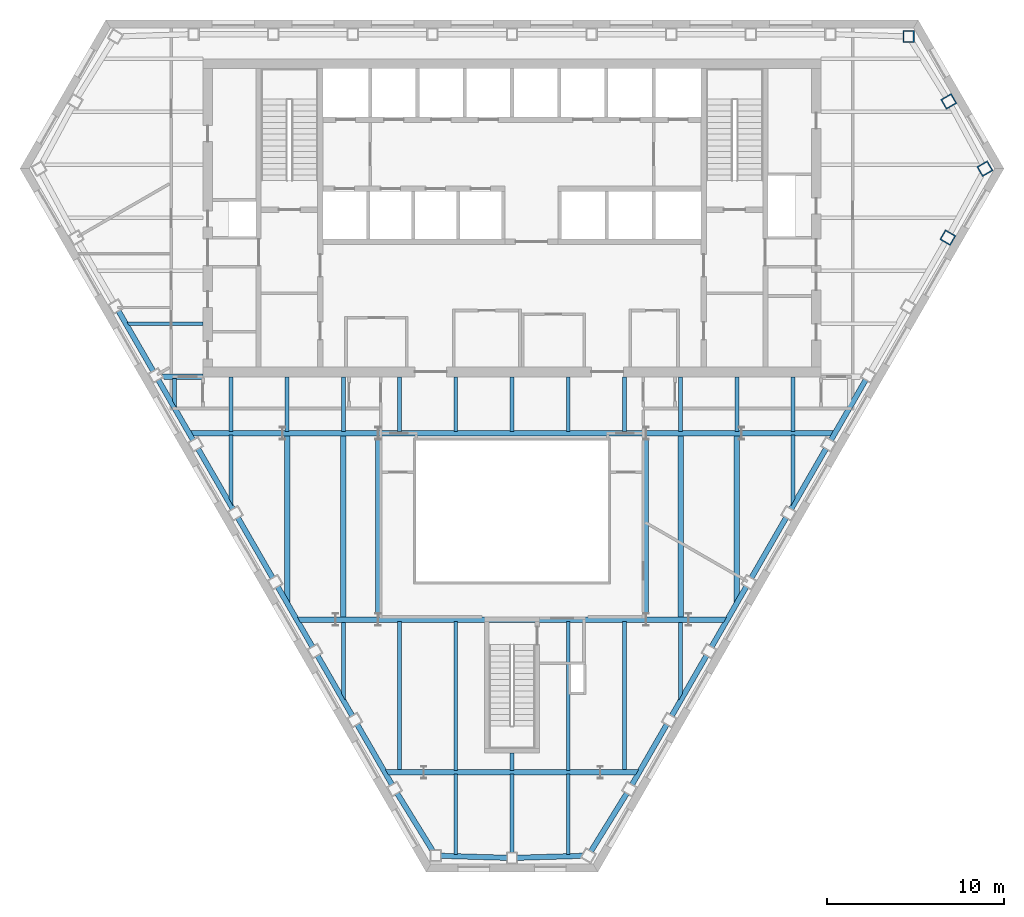
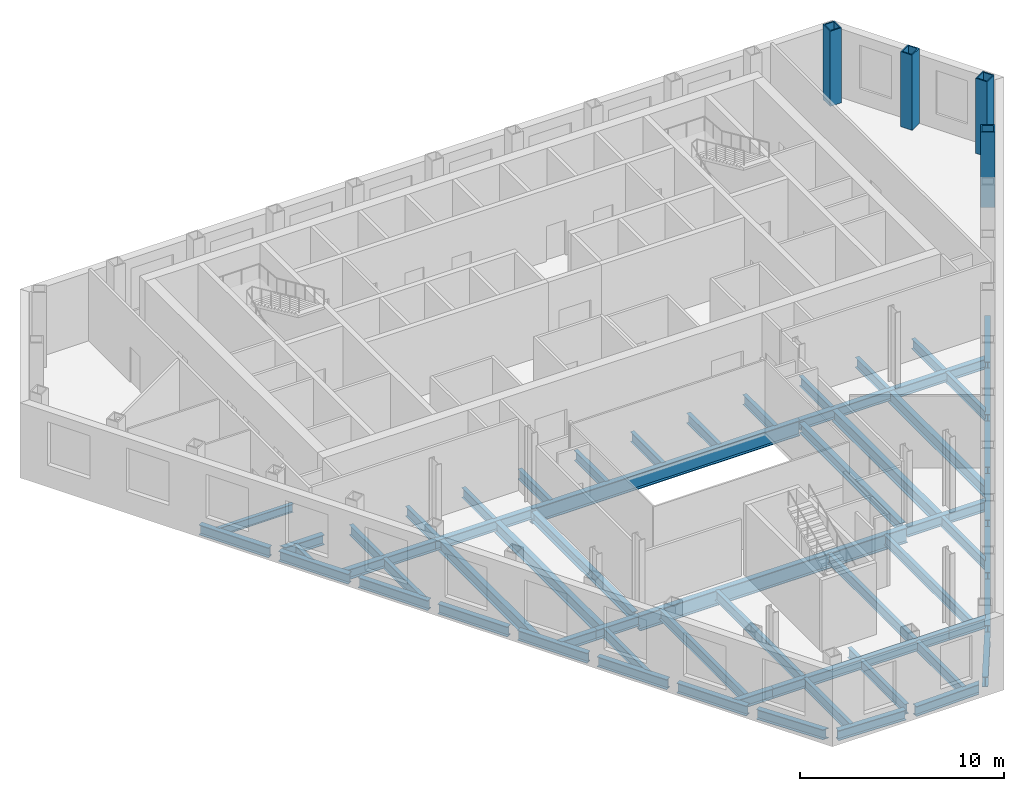
# One storey, part 2 of 11: 62 beams, 4 columns.
"""IFC4 building model written with IfcOpenShell, lengths in metres."""

from ifc_helpers import new_model, si_unit, direction, frame, origin, origin_2d, place, context, subcontext, project, spatial, hollow_rectangle, i_section, extrude, clip, halfspace, material, material_profile, profile_set, type_object, element, save


model = new_model("IFC4")

# Units and contexts
model_context = context("Model", 3, precision=1e-05, world=origin(), true_north=direction((0.0, 1.0)))
body_context = subcontext(model_context, "Body", "Model", "MODEL_VIEW")
ifc_project = project(units=[si_unit("LENGTHUNIT", "METRE"), si_unit("AREAUNIT", "SQUARE_METRE"), si_unit("VOLUMEUNIT", "CUBIC_METRE"), si_unit("PLANEANGLEUNIT", "RADIAN"), si_unit("MASSUNIT", "GRAM", prefix="KILO")], contexts=[model_context])

# Site, building, storey
site_placement = place(None, origin())
site = spatial("IfcSite", under=ifc_project, at=site_placement, CompositionType="ELEMENT")
building_placement = place(site_placement, origin())
building = spatial("IfcBuilding", under=site, at=building_placement, Name="Njiva Tower", CompositionType="ELEMENT")
storey_placement = place(building_placement, frame((0.0, 0.0, 115.8)))
storey = spatial("IfcBuildingStorey", under=building, at=storey_placement, Name="L24", CompositionType="ELEMENT", Elevation=115.8)

# Columns
ifc_material = material(Name="Steel S355 J2", Category="steel")
ifc_material_profile_1 = material_profile(ifc_material, hollow_rectangle(XDim=0.65, YDim=0.7, WallThickness=0.065, at=origin_2d()), Name="BOX 700x650x65")
ifc_profile_set_1 = profile_set([ifc_material_profile_1], Name="Steel S355 J2")
column_type = type_object("IfcColumnType", Name="C7 Perimeter tube column BOX 700x650x65", PredefinedType="COLUMN", material=ifc_profile_set_1)
for number, where, z_axis, x_axis, name in (
    (1, (22.456, 19.267, 0.0), (0.0, 0.0, 1.0), (-1.0, 0.0, 0.0), "Perimeter tube column S08-C01"),
    (2, (24.678, 7.879, 0.0), (0.0, 0.0, 1.0), (0.5, 0.866025403784, 0.0), "Perimeter tube column S08-C34"),
    (3, (26.778, 11.782, 0.0), (0.0, 0.0, 1.0), (-0.5, 0.866025403784, 0.0), "Perimeter tube column S08-C35"),
    (4, (24.732, 15.591, 0.0), (0.0, 0.0, 1.0), (-0.5, 0.866025403784, 0.0), "Perimeter tube column S08-C36"),
):
    element("IfcColumn", number, at=place(storey_placement, frame(where, z_axis=z_axis, x_axis=x_axis)), inside=storey, type_object=column_type, Name=name, PredefinedType="COLUMN", context=body_context, shape_type="SweptSolid", body=[
        extrude(hollow_rectangle(XDim=0.65, YDim=0.7, WallThickness=0.065, at=origin_2d()), origin(), (0.0, 0.0, 1.0), 4.5),
    ])

# Beams
ifc_material_profile_2 = material_profile(ifc_material, i_section(OverallWidth=0.3, OverallDepth=0.69, WebThickness=0.0145, FlangeThickness=0.027, at=origin_2d()), Name="HEA 700")
ifc_profile_set_2 = profile_set([ifc_material_profile_2], Name="Steel S355 J2")
beam_type_1 = type_object("IfcBeamType", Name="B12 Long-span floor joist HEA 700", PredefinedType="JOIST", material=ifc_profile_set_2)
for number, where, z_axis, x_axis, name in (
    (5, (-9.55, -3.3, -0.545), (0.0, -1.0, 0.0), (1.0, 0.0, 0.0), "Long-span floor joist S08-B065"),
    (6, (9.55, -3.3, -0.545), (0.0, -1.0, 0.0), (1.0, 0.0, 0.0), "Long-span floor joist S08-B084"),
):
    element("IfcBeam", number, at=place(storey_placement, frame(where, z_axis=z_axis, x_axis=x_axis)), inside=storey, type_object=beam_type_1, Name=name, PredefinedType="JOIST", context=body_context, shape_type="SweptSolid", body=[
        extrude(i_section(OverallWidth=0.3, OverallDepth=0.69, WebThickness=0.0145, FlangeThickness=0.027, at=origin_2d()), origin(), (0.0, 0.0, 1.0), 10.35),
    ])
ifc_material_profile_3 = material_profile(ifc_material, i_section(OverallWidth=0.22, OverallDepth=0.6, WebThickness=0.012, FlangeThickness=0.019, at=origin_2d()), Name="IPE 600")
ifc_profile_set_3 = profile_set([ifc_material_profile_3], Name="Steel S355 J2")
beam_type_2 = type_object("IfcBeamType", Name="B13 Floor joist IPE 600", PredefinedType="JOIST", material=ifc_profile_set_3)
for number, where, z_axis, x_axis, name in (
    (7, (-6.367, -13.851, -0.5), (0.0, -1.0, 0.0), (1.0, 0.0, 0.0), "Floor joist S08-B068"),
    (8, (-3.183, -13.851, -0.5), (0.0, -1.0, 0.0), (1.0, 0.0, 0.0), "Floor joist S08-B071"),
):
    element("IfcBeam", number, at=place(storey_placement, frame(where, z_axis=z_axis, x_axis=x_axis)), inside=storey, type_object=beam_type_2, Name=name, PredefinedType="JOIST", context=body_context, shape_type="SweptSolid", body=[
        extrude(i_section(OverallWidth=0.22, OverallDepth=0.6, WebThickness=0.012, FlangeThickness=0.019, at=origin_2d()), origin(), (0.0, 0.0, 1.0), 8.449),
    ])
beam_1_placement = place(storey_placement, frame((-3.183, -22.5, -0.5), z_axis=(0.0, -1.0, 0.0), x_axis=(1.0, 0.0, 0.0)))
element("IfcBeam", 9, at=beam_1_placement, inside=storey, type_object=beam_type_2, Name="Floor joist S08-B070", PredefinedType="JOIST", context=body_context, shape_type="SweptSolid", body=[
    extrude(i_section(OverallWidth=0.22, OverallDepth=0.6, WebThickness=0.012, FlangeThickness=0.019, at=origin_2d()), origin(), (0.0, 0.0, 1.0), 4.546),
])
beam_2_placement = place(storey_placement, frame((3.183, -13.851, -0.5), z_axis=(0.0, -1.0, 0.0), x_axis=(1.0, 0.0, 0.0)))
element("IfcBeam", 10, at=beam_2_placement, inside=storey, type_object=beam_type_2, Name="Floor joist S08-B078", PredefinedType="JOIST", context=body_context, shape_type="SweptSolid", body=[
    extrude(i_section(OverallWidth=0.22, OverallDepth=0.6, WebThickness=0.012, FlangeThickness=0.019, at=origin_2d()), origin(), (0.0, 0.0, 1.0), 8.449),
])
beam_3_placement = place(storey_placement, frame((3.183, -22.5, -0.5), z_axis=(0.0, -1.0, 0.0), x_axis=(1.0, 0.0, 0.0)))
element("IfcBeam", 11, at=beam_3_placement, inside=storey, type_object=beam_type_2, Name="Floor joist S08-B077", PredefinedType="JOIST", context=body_context, shape_type="SweptSolid", body=[
    extrude(i_section(OverallWidth=0.22, OverallDepth=0.6, WebThickness=0.012, FlangeThickness=0.019, at=origin_2d()), origin(), (0.0, 0.0, 1.0), 4.546),
])
beam_4_placement = place(storey_placement, frame((6.367, -13.851, -0.5), z_axis=(0.0, -1.0, 0.0), x_axis=(1.0, 0.0, 0.0)))
element("IfcBeam", 12, at=beam_4_placement, inside=storey, type_object=beam_type_2, Name="Floor joist S08-B081", PredefinedType="JOIST", context=body_context, shape_type="SweptSolid", body=[
    extrude(i_section(OverallWidth=0.22, OverallDepth=0.6, WebThickness=0.012, FlangeThickness=0.019, at=origin_2d()), origin(), (0.0, 0.0, 1.0), 8.449),
])
ifc_material_profile_4 = material_profile(ifc_material, i_section(OverallWidth=0.22, OverallDepth=0.6, WebThickness=0.012, FlangeThickness=0.019, at=origin_2d()), Name="IPE 600")
ifc_profile_set_4 = profile_set([ifc_material_profile_4], Name="Steel S355 J2")
beam_type_3 = type_object("IfcBeamType", Name="B14 Short-span floor joist IPE 600", PredefinedType="JOIST", material=ifc_profile_set_4)
beam_5_placement = place(storey_placement, frame((-19.1, -0.1, -0.5), z_axis=(0.0, -1.0, 0.0), x_axis=(1.0, 0.0, 0.0)))
element("IfcBeam", 13, at=beam_5_placement, inside=storey, type_object=beam_type_3, Name="Short-span floor joist S08-B059", PredefinedType="JOIST", context=body_context, shape_type="Clipping", body=[
    clip(extrude(i_section(OverallWidth=0.22, OverallDepth=0.6, WebThickness=0.012, FlangeThickness=0.019, at=origin_2d()), origin(), (0.0, 0.0, 1.0), 1.693), halfspace(frame((-0.0433, 0.0, 1.4069), z_axis=(-0.866026552831, 0.0, 0.499998009787), x_axis=(0.0, 1.0, 0.0)), False)),
])
beam_6_placement = place(storey_placement, frame((-15.917, -0.005, -0.5), z_axis=(0.0, -1.0, 0.0), x_axis=(1.0, 0.0, 0.0)))
element("IfcBeam", 14, at=beam_6_placement, inside=storey, type_object=beam_type_3, Name="Short-span floor joist S08-B061", PredefinedType="JOIST", context=body_context, shape_type="SweptSolid", body=[
    extrude(i_section(OverallWidth=0.22, OverallDepth=0.6, WebThickness=0.012, FlangeThickness=0.019, at=origin_2d()), origin(), (0.0, 0.0, 1.0), 3.095),
])
beam_7_placement = place(storey_placement, frame((-15.917, -3.3, -0.5), z_axis=(0.0, -1.0, 0.0), x_axis=(1.0, 0.0, 0.0)))
element("IfcBeam", 15, at=beam_7_placement, inside=storey, type_object=beam_type_3, Name="Short-span floor joist S08-B060", PredefinedType="JOIST", context=body_context, shape_type="Clipping", body=[
    clip(extrude(i_section(OverallWidth=0.22, OverallDepth=0.6, WebThickness=0.012, FlangeThickness=0.019, at=origin_2d()), origin(), (0.0, 0.0, 1.0), 4.007), halfspace(frame((-0.043, 0.0, 3.7206), z_axis=(-0.866026552831, 0.0, 0.499998009787), x_axis=(0.0, 1.0, 0.0)), False)),
])
for number, where, z_axis, x_axis, name in (
    (16, (-12.733, -0.005, -0.5), (0.0, -1.0, 0.0), (1.0, 0.0, 0.0), "Short-span floor joist S08-B063"),
    (17, (-9.55, -0.005, -0.5), (0.0, -1.0, 0.0), (1.0, 0.0, 0.0), "Short-span floor joist S08-B066"),
):
    element("IfcBeam", number, at=place(storey_placement, frame(where, z_axis=z_axis, x_axis=x_axis)), inside=storey, type_object=beam_type_3, Name=name, PredefinedType="JOIST", context=body_context, shape_type="SweptSolid", body=[
        extrude(i_section(OverallWidth=0.22, OverallDepth=0.6, WebThickness=0.012, FlangeThickness=0.019, at=origin_2d()), origin(), (0.0, 0.0, 1.0), 3.095),
    ])
beam_8_placement = place(storey_placement, frame((-9.55, -13.85, -0.5), z_axis=(0.0, -1.0, 0.0), x_axis=(1.0, 0.0, 0.0)))
element("IfcBeam", 18, at=beam_8_placement, inside=storey, type_object=beam_type_3, Name="Short-span floor joist S08-B064", PredefinedType="JOIST", context=body_context, shape_type="Clipping", body=[
    clip(extrude(i_section(OverallWidth=0.22, OverallDepth=0.6, WebThickness=0.012, FlangeThickness=0.019, at=origin_2d()), origin(), (0.0, 0.0, 1.0), 4.484), halfspace(frame((-0.0433, 0.0, 4.198), z_axis=(-0.866026552831, 0.0, 0.499998009787), x_axis=(0.0, 1.0, 0.0)), False)),
])
for number, where, z_axis, x_axis, name in (
    (19, (-6.367, -0.005, -0.5), (0.0, -1.0, 0.0), (1.0, 0.0, 0.0), "Short-span floor joist S08-B069"),
    (20, (-3.183, -0.005, -0.5), (0.0, -1.0, 0.0), (1.0, 0.0, 0.0), "Short-span floor joist S08-B072"),
    (21, (0.0, -0.005, -0.5), (0.0, -1.0, 0.0), (1.0, 0.0, 0.0), "Short-span floor joist S08-B076"),
):
    element("IfcBeam", number, at=place(storey_placement, frame(where, z_axis=z_axis, x_axis=x_axis)), inside=storey, type_object=beam_type_3, Name=name, PredefinedType="JOIST", context=body_context, shape_type="SweptSolid", body=[
        extrude(i_section(OverallWidth=0.22, OverallDepth=0.6, WebThickness=0.012, FlangeThickness=0.019, at=origin_2d()), origin(), (0.0, 0.0, 1.0), 3.094),
    ])
beam_9_placement = place(storey_placement, frame((0.0, -21.3, -0.5), z_axis=(0.0, -1.0, 0.0), x_axis=(1.0, 0.0, 0.0)))
element("IfcBeam", 22, at=beam_9_placement, inside=storey, type_object=beam_type_3, Name="Short-span floor joist S08-B075", PredefinedType="JOIST", context=body_context, shape_type="SweptSolid", body=[
    extrude(i_section(OverallWidth=0.22, OverallDepth=0.6, WebThickness=0.012, FlangeThickness=0.019, at=origin_2d()), origin(), (0.0, 0.0, 1.0), 1.0),
])
beam_10_placement = place(storey_placement, frame((0.0, -22.5, -0.5), z_axis=(0.0, -1.0, 0.0), x_axis=(1.0, 0.0, 0.0)))
element("IfcBeam", 23, at=beam_10_placement, inside=storey, type_object=beam_type_3, Name="Short-span floor joist S08-B074", PredefinedType="JOIST", context=body_context, shape_type="SweptSolid", body=[
    extrude(i_section(OverallWidth=0.22, OverallDepth=0.6, WebThickness=0.012, FlangeThickness=0.019, at=origin_2d()), origin(), (0.0, 0.0, 1.0), 4.446),
])
for number, where, z_axis, x_axis, name in (
    (24, (3.183, -0.005, -0.5), (0.0, -1.0, 0.0), (1.0, 0.0, 0.0), "Short-span floor joist S08-B079"),
    (25, (6.367, -0.005, -0.5), (0.0, -1.0, 0.0), (1.0, 0.0, 0.0), "Short-span floor joist S08-B082"),
):
    element("IfcBeam", number, at=place(storey_placement, frame(where, z_axis=z_axis, x_axis=x_axis)), inside=storey, type_object=beam_type_3, Name=name, PredefinedType="JOIST", context=body_context, shape_type="SweptSolid", body=[
        extrude(i_section(OverallWidth=0.22, OverallDepth=0.6, WebThickness=0.012, FlangeThickness=0.019, at=origin_2d()), origin(), (0.0, 0.0, 1.0), 3.094),
    ])
beam_11_placement = place(storey_placement, frame((9.55, -0.005, -0.5), z_axis=(0.0, -1.0, 0.0), x_axis=(1.0, 0.0, 0.0)))
element("IfcBeam", 26, at=beam_11_placement, inside=storey, type_object=beam_type_3, Name="Short-span floor joist S08-B085", PredefinedType="JOIST", context=body_context, shape_type="SweptSolid", body=[
    extrude(i_section(OverallWidth=0.22, OverallDepth=0.6, WebThickness=0.012, FlangeThickness=0.019, at=origin_2d()), origin(), (0.0, 0.0, 1.0), 3.095),
])
beam_12_placement = place(storey_placement, frame((9.55, -13.85, -0.5), z_axis=(0.0, -1.0, 0.0), x_axis=(1.0, 0.0, 0.0)))
element("IfcBeam", 27, at=beam_12_placement, inside=storey, type_object=beam_type_3, Name="Short-span floor joist S08-B083", PredefinedType="JOIST", context=body_context, shape_type="Clipping", body=[
    clip(extrude(i_section(OverallWidth=0.22, OverallDepth=0.6, WebThickness=0.012, FlangeThickness=0.019, at=origin_2d()), origin(), (0.0, 0.0, 1.0), 4.484), halfspace(frame((0.0433, 0.0, 4.198), z_axis=(0.866026552831, 0.0, 0.499998009787), x_axis=(0.0, 1.0, 0.0)), False)),
])
for number, where, z_axis, x_axis, name in (
    (28, (12.733, -0.005, -0.5), (0.0, -1.0, 0.0), (1.0, 0.0, 0.0), "Short-span floor joist S08-B087"),
    (29, (15.917, -0.005, -0.5), (0.0, -1.0, 0.0), (1.0, 0.0, 0.0), "Short-span floor joist S08-B089"),
):
    element("IfcBeam", number, at=place(storey_placement, frame(where, z_axis=z_axis, x_axis=x_axis)), inside=storey, type_object=beam_type_3, Name=name, PredefinedType="JOIST", context=body_context, shape_type="SweptSolid", body=[
        extrude(i_section(OverallWidth=0.22, OverallDepth=0.6, WebThickness=0.012, FlangeThickness=0.019, at=origin_2d()), origin(), (0.0, 0.0, 1.0), 3.095),
    ])
beam_13_placement = place(storey_placement, frame((15.917, -3.3, -0.5), z_axis=(0.0, -1.0, 0.0), x_axis=(1.0, 0.0, 0.0)))
element("IfcBeam", 30, at=beam_13_placement, inside=storey, type_object=beam_type_3, Name="Short-span floor joist S08-B088", PredefinedType="JOIST", context=body_context, shape_type="Clipping", body=[
    clip(extrude(i_section(OverallWidth=0.22, OverallDepth=0.6, WebThickness=0.012, FlangeThickness=0.019, at=origin_2d()), origin(), (0.0, 0.0, 1.0), 4.007), halfspace(frame((0.043, 0.0, 3.7206), z_axis=(0.866026552831, 0.0, 0.499998009787), x_axis=(0.0, 1.0, 0.0)), False)),
])
ifc_material_profile_5 = material_profile(ifc_material, i_section(OverallWidth=0.3, OverallDepth=0.6, WebThickness=0.0155, FlangeThickness=0.03, at=origin_2d()), Name="HEB 600")
ifc_profile_set_5 = profile_set([ifc_material_profile_5], Name="Steel S355 J2")
beam_type_4 = type_object("IfcBeamType", Name="B20 Floor girder HEB 600", PredefinedType="BEAM", material=ifc_profile_set_5)
beam_14_placement = place(storey_placement, frame((-18.273, -3.2, -0.5), z_axis=(1.0, 0.0, 0.0), x_axis=(0.0, 1.0, 0.0)))
element("IfcBeam", 31, at=beam_14_placement, inside=storey, type_object=beam_type_4, Name="Floor girder S08-B017", PredefinedType="BEAM", context=body_context, shape_type="Clipping", body=[
    clip(extrude(i_section(OverallWidth=0.3, OverallDepth=0.6, WebThickness=0.0155, FlangeThickness=0.03, at=origin_2d()), origin(), (0.0, 0.0, 1.0), 5.273), halfspace(frame((-0.025, 0.0, 0.1217), z_axis=(-0.499998009787, 0.0, -0.866026552831), x_axis=(0.0, -1.0, 0.0)), False)),
])
for number, where, z_axis, x_axis, name in (
    (32, (-13.0, -3.2, -0.5), (1.0, 0.0, 0.0), (0.0, 1.0, 0.0), "Floor girder S08-B018"),
    (33, (7.58, -3.2, -0.5), (1.0, 0.0, 0.0), (0.0, 1.0, 0.0), "Floor girder S08-B025"),
):
    element("IfcBeam", number, at=place(storey_placement, frame(where, z_axis=z_axis, x_axis=x_axis)), inside=storey, type_object=beam_type_4, Name=name, PredefinedType="BEAM", context=body_context, shape_type="SweptSolid", body=[
        extrude(i_section(OverallWidth=0.3, OverallDepth=0.6, WebThickness=0.0155, FlangeThickness=0.03, at=origin_2d()), origin(), (0.0, 0.0, 1.0), 5.42),
    ])
beam_15_placement = place(storey_placement, frame((13.0, -3.2, -0.5), z_axis=(1.0, 0.0, 0.0), x_axis=(0.0, 1.0, 0.0)))
element("IfcBeam", 34, at=beam_15_placement, inside=storey, type_object=beam_type_4, Name="Floor girder S08-B027", PredefinedType="BEAM", context=body_context, shape_type="Clipping", body=[
    clip(extrude(i_section(OverallWidth=0.3, OverallDepth=0.6, WebThickness=0.0155, FlangeThickness=0.03, at=origin_2d()), origin(), (0.0, 0.0, 1.0), 5.273), halfspace(frame((-0.025, 0.0, 5.1513), z_axis=(-0.499998009787, 0.0, 0.866026552831), x_axis=(0.0, 1.0, 0.0)), False)),
])
ifc_material_profile_6 = material_profile(ifc_material, i_section(OverallWidth=0.3, OverallDepth=0.6, WebThickness=0.0155, FlangeThickness=0.03, at=origin_2d()), Name="HEB 600")
ifc_profile_set_6 = profile_set([ifc_material_profile_6], Name="Steel S355 J2")
beam_type_5 = type_object("IfcBeamType", Name="B21 Short-span floor girder HEB 600", PredefinedType="BEAM", material=ifc_profile_set_6)
beam_16_placement = place(storey_placement, frame((-12.182, -13.75, -0.5), z_axis=(1.0, 0.0, 0.0), x_axis=(0.0, 1.0, 0.0)))
element("IfcBeam", 35, at=beam_16_placement, inside=storey, type_object=beam_type_5, Name="Short-span floor girder S08-B019", PredefinedType="BEAM", context=body_context, shape_type="Clipping", body=[
    clip(extrude(i_section(OverallWidth=0.3, OverallDepth=0.6, WebThickness=0.0155, FlangeThickness=0.03, at=origin_2d()), origin(), (0.0, 0.0, 1.0), 2.182), halfspace(frame((-0.025, 0.0, 0.1217), z_axis=(-0.499998009787, 0.0, -0.866026552831), x_axis=(0.0, -1.0, 0.0)), False)),
])
for number, where, z_axis, x_axis, name in (
    (36, (-10.0, -13.75, -0.5), (1.0, 0.0, 0.0), (0.0, 1.0, 0.0), "Short-span floor girder S08-B020"),
    (37, (7.58, -13.75, -0.5), (1.0, 0.0, 0.0), (0.0, 1.0, 0.0), "Short-span floor girder S08-B024"),
):
    element("IfcBeam", number, at=place(storey_placement, frame(where, z_axis=z_axis, x_axis=x_axis)), inside=storey, type_object=beam_type_5, Name=name, PredefinedType="BEAM", context=body_context, shape_type="SweptSolid", body=[
        extrude(i_section(OverallWidth=0.3, OverallDepth=0.6, WebThickness=0.0155, FlangeThickness=0.03, at=origin_2d()), origin(), (0.0, 0.0, 1.0), 2.42),
    ])
beam_17_placement = place(storey_placement, frame((10.0, -13.75, -0.5), z_axis=(1.0, 0.0, 0.0), x_axis=(0.0, 1.0, 0.0)))
element("IfcBeam", 38, at=beam_17_placement, inside=storey, type_object=beam_type_5, Name="Short-span floor girder S08-B026", PredefinedType="BEAM", context=body_context, shape_type="Clipping", body=[
    clip(extrude(i_section(OverallWidth=0.3, OverallDepth=0.6, WebThickness=0.0155, FlangeThickness=0.03, at=origin_2d()), origin(), (0.0, 0.0, 1.0), 2.182), halfspace(frame((-0.025, 0.0, 2.0603), z_axis=(-0.499998009787, 0.0, 0.866026552831), x_axis=(0.0, 1.0, 0.0)), False)),
])
beam_18_placement = place(storey_placement, frame((-7.188, -22.4, -0.5), z_axis=(1.0, 0.0, 0.0), x_axis=(0.0, 1.0, 0.0)))
element("IfcBeam", 39, at=beam_18_placement, inside=storey, type_object=beam_type_5, Name="Short-span floor girder S08-B021", PredefinedType="BEAM", context=body_context, shape_type="Clipping", body=[
    clip(extrude(i_section(OverallWidth=0.3, OverallDepth=0.6, WebThickness=0.0155, FlangeThickness=0.03, at=origin_2d()), origin(), (0.0, 0.0, 1.0), 2.188), halfspace(frame((-0.025, 0.0, 0.1218), z_axis=(-0.499998009787, 0.0, -0.866026552831), x_axis=(0.0, -1.0, 0.0)), False)),
])
beam_19_placement = place(storey_placement, frame((5.0, -22.4, -0.5), z_axis=(1.0, 0.0, 0.0), x_axis=(0.0, 1.0, 0.0)))
element("IfcBeam", 40, at=beam_19_placement, inside=storey, type_object=beam_type_5, Name="Short-span floor girder S08-B023", PredefinedType="BEAM", context=body_context, shape_type="Clipping", body=[
    clip(extrude(i_section(OverallWidth=0.3, OverallDepth=0.6, WebThickness=0.0155, FlangeThickness=0.03, at=origin_2d()), origin(), (0.0, 0.0, 1.0), 2.188), halfspace(frame((-0.025, 0.0, 2.0662), z_axis=(-0.499998009787, 0.0, 0.866026552831), x_axis=(0.0, 1.0, 0.0)), False)),
])
beam_20_placement = place(storey_placement, frame((-19.889, 0.0, -0.5), z_axis=(1.0, 0.0, 0.0), x_axis=(0.0, 1.0, 0.0)))
element("IfcBeam", 41, at=beam_20_placement, inside=storey, type_object=beam_type_5, Name="Short-span floor girder S08-B016", PredefinedType="BEAM", context=body_context, shape_type="Clipping", body=[
    clip(extrude(i_section(OverallWidth=0.3, OverallDepth=0.6, WebThickness=0.0155, FlangeThickness=0.03, at=origin_2d()), origin(), (0.0, 0.0, 1.0), 2.389), halfspace(frame((-0.025, 0.0, 0.1216), z_axis=(-0.499998009787, 0.0, -0.866026552831), x_axis=(0.0, -1.0, 0.0)), False)),
])
ifc_material_profile_7 = material_profile(ifc_material, i_section(OverallWidth=0.3, OverallDepth=0.6, WebThickness=0.0155, FlangeThickness=0.03, at=origin_2d()), Name="HEB 600")
ifc_profile_set_7 = profile_set([ifc_material_profile_7], Name="Steel S355 J2")
beam_type_6 = type_object("IfcBeamType", Name="B22 Long-span floor girder HEB 600", PredefinedType="BEAM", material=ifc_profile_set_7)
beam_21_placement = place(storey_placement, frame((-5.0, -22.4, -0.5), z_axis=(1.0, 0.0, 0.0), x_axis=(0.0, 1.0, 0.0)))
element("IfcBeam", 42, at=beam_21_placement, inside=storey, type_object=beam_type_6, Name="Long-span floor girder S08-B022", PredefinedType="BEAM", context=body_context, shape_type="SweptSolid", body=[
    extrude(i_section(OverallWidth=0.3, OverallDepth=0.6, WebThickness=0.0155, FlangeThickness=0.03, at=origin_2d()), origin(), (0.0, 0.0, 1.0), 10.0),
])
ifc_material_profile_8 = material_profile(ifc_material, i_section(OverallWidth=0.3, OverallDepth=0.6, WebThickness=0.0155, FlangeThickness=0.03, at=origin_2d()), Name="HEB 600")
ifc_profile_set_8 = profile_set([ifc_material_profile_8], Name="Steel S355 J2")
beam_type_7 = type_object("IfcBeamType", Name="B23 Long-span atrium trimmer beam HEB 600", PredefinedType="BEAM", material=ifc_profile_set_8)
for number, where, z_axis, x_axis, name in (
    (43, (7.58, -13.442, -0.5), (0.0, 1.0, 0.0), (-1.0, 0.0, 0.0), "Long-span atrium trimmer beam S08-B096"),
    (44, (-7.58, -3.508, -0.5), (0.0, -1.0, 0.0), (1.0, 0.0, 0.0), "Long-span atrium trimmer beam S08-B093"),
):
    element("IfcBeam", number, at=place(storey_placement, frame(where, z_axis=z_axis, x_axis=x_axis)), inside=storey, type_object=beam_type_7, Name=name, PredefinedType="BEAM", context=body_context, shape_type="SweptSolid", body=[
        extrude(i_section(OverallWidth=0.3, OverallDepth=0.6, WebThickness=0.0155, FlangeThickness=0.03, at=origin_2d()), origin(), (0.0, 0.0, 1.0), 9.934),
    ])
ifc_material_profile_9 = material_profile(ifc_material, i_section(OverallWidth=0.2, OverallDepth=0.5, WebThickness=0.0102, FlangeThickness=0.016, at=origin_2d()), Name="IPE 500")
ifc_profile_set_9 = profile_set([ifc_material_profile_9], Name="Steel S355 J2")
beam_type_8 = type_object("IfcBeamType", Name="B25 Short-span floor beam to the core IPE 500", PredefinedType="BEAM", material=ifc_profile_set_9)
beam_22_placement = place(storey_placement, frame((-21.823, 3.0, -0.45), z_axis=(1.0, 0.0, 0.0), x_axis=(0.0, 1.0, 0.0)))
element("IfcBeam", 45, at=beam_22_placement, inside=storey, type_object=beam_type_8, Name="Short-span floor beam to the core S08-B007", PredefinedType="BEAM", context=body_context, shape_type="Clipping", body=[
    clip(extrude(i_section(OverallWidth=0.2, OverallDepth=0.5, WebThickness=0.0102, FlangeThickness=0.016, at=origin_2d()), origin(), (0.0, 0.0, 1.0), 4.323), halfspace(frame((-0.025, 0.0, 0.0921), z_axis=(-0.499998009787, 0.0, -0.866026552831), x_axis=(0.0, -1.0, 0.0)), False)),
])
ifc_material_profile_10 = material_profile(ifc_material, i_section(OverallWidth=0.3, OverallDepth=0.69, WebThickness=0.0145, FlangeThickness=0.027, at=origin_2d()), Name="HEA 700")
ifc_profile_set_10 = profile_set([ifc_material_profile_10], Name="Steel S355 J2")
beam_type_9 = type_object("IfcBeamType", Name="B26 Floor joist HEA 700", PredefinedType="JOIST", material=ifc_profile_set_10)
beam_23_placement = place(storey_placement, frame((-12.733, -3.3, -0.545), z_axis=(0.0, -1.0, 0.0), x_axis=(1.0, 0.0, 0.0)))
element("IfcBeam", 46, at=beam_23_placement, inside=storey, type_object=beam_type_9, Name="Floor joist S08-B062", PredefinedType="JOIST", context=body_context, shape_type="Clipping", body=[
    clip(extrude(i_section(OverallWidth=0.3, OverallDepth=0.69, WebThickness=0.0145, FlangeThickness=0.027, at=origin_2d()), origin(), (0.0, 0.0, 1.0), 9.52), halfspace(frame((-0.0436, 0.0, 9.2343), z_axis=(-0.866026552831, 0.0, 0.499998009787), x_axis=(0.0, 1.0, 0.0)), False)),
])
beam_24_placement = place(storey_placement, frame((12.733, -3.3, -0.545), z_axis=(0.0, -1.0, 0.0), x_axis=(1.0, 0.0, 0.0)))
element("IfcBeam", 47, at=beam_24_placement, inside=storey, type_object=beam_type_9, Name="Floor joist S08-B086", PredefinedType="JOIST", context=body_context, shape_type="Clipping", body=[
    clip(extrude(i_section(OverallWidth=0.3, OverallDepth=0.69, WebThickness=0.0145, FlangeThickness=0.027, at=origin_2d()), origin(), (0.0, 0.0, 1.0), 9.52), halfspace(frame((0.0436, 0.0, 9.2343), z_axis=(0.866026552831, 0.0, 0.499998009787), x_axis=(0.0, 1.0, 0.0)), False)),
])
ifc_material_profile_11 = material_profile(ifc_material, i_section(OverallWidth=0.3, OverallDepth=0.6, WebThickness=0.0155, FlangeThickness=0.03, at=origin_2d()), Name="HEB 600")
ifc_profile_set_11 = profile_set([ifc_material_profile_11], Name="Steel S355 J2")
beam_type_10 = type_object("IfcBeamType", Name="B3 Short-span spandrel beam HEB 600", PredefinedType="SPANDREL", material=ifc_profile_set_11)
for number, where, z_axis, x_axis, name in (
    (48, (-22.287, 3.739, -0.5), (0.499890179513, -0.866088799389, 0.0), (0.866088799389, 0.499890179513, 0.0), "Short-span spandrel beam S08-B105"),
    (49, (-20.034, -0.164, -0.5), (0.499890179513, -0.866088799389, 0.0), (0.866088799389, 0.499890179513, 0.0), "Short-span spandrel beam S08-B109"),
):
    element("IfcBeam", number, at=place(storey_placement, frame(where, z_axis=z_axis, x_axis=x_axis)), inside=storey, type_object=beam_type_10, Name=name, PredefinedType="SPANDREL", context=body_context, shape_type="SweptSolid", body=[
        extrude(i_section(OverallWidth=0.3, OverallDepth=0.6, WebThickness=0.0155, FlangeThickness=0.03, at=origin_2d()), origin(), (0.0, 0.0, 1.0), 3.9569),
    ])
beam_25_placement = place(storey_placement, frame((-17.781, -4.067, -0.5), z_axis=(0.500079715141, -0.865979375335, 0.0), x_axis=(0.865979375335, 0.500079715141, 0.0)))
element("IfcBeam", 50, at=beam_25_placement, inside=storey, type_object=beam_type_10, Name="Short-span spandrel beam S08-B111", PredefinedType="SPANDREL", context=body_context, shape_type="SweptSolid", body=[
    extrude(i_section(OverallWidth=0.3, OverallDepth=0.6, WebThickness=0.0155, FlangeThickness=0.03, at=origin_2d()), origin(), (0.0, 0.0, 1.0), 3.9574),
])
beam_26_placement = place(storey_placement, frame((-15.527, -7.97, -0.5), z_axis=(0.499890179513, -0.866088799389, 0.0), x_axis=(0.866088799389, 0.499890179513, 0.0)))
element("IfcBeam", 51, at=beam_26_placement, inside=storey, type_object=beam_type_10, Name="Short-span spandrel beam S08-B115", PredefinedType="SPANDREL", context=body_context, shape_type="SweptSolid", body=[
    extrude(i_section(OverallWidth=0.3, OverallDepth=0.6, WebThickness=0.0155, FlangeThickness=0.03, at=origin_2d()), origin(), (0.0, 0.0, 1.0), 3.9569),
])
beam_27_placement = place(storey_placement, frame((-13.274, -11.873, -0.5), z_axis=(0.500079715141, -0.865979375335, 0.0), x_axis=(0.865979375335, 0.500079715141, 0.0)))
element("IfcBeam", 52, at=beam_27_placement, inside=storey, type_object=beam_type_10, Name="Short-span spandrel beam S08-B117", PredefinedType="SPANDREL", context=body_context, shape_type="SweptSolid", body=[
    extrude(i_section(OverallWidth=0.3, OverallDepth=0.6, WebThickness=0.0155, FlangeThickness=0.03, at=origin_2d()), origin(), (0.0, 0.0, 1.0), 3.9574),
])
beam_28_placement = place(storey_placement, frame((-11.02, -15.776, -0.5), z_axis=(0.499890179513, -0.866088799389, 0.0), x_axis=(0.866088799389, 0.499890179513, 0.0)))
element("IfcBeam", 53, at=beam_28_placement, inside=storey, type_object=beam_type_10, Name="Short-span spandrel beam S08-B120", PredefinedType="SPANDREL", context=body_context, shape_type="SweptSolid", body=[
    extrude(i_section(OverallWidth=0.3, OverallDepth=0.6, WebThickness=0.0155, FlangeThickness=0.03, at=origin_2d()), origin(), (0.0, 0.0, 1.0), 3.9569),
])
beam_29_placement = place(storey_placement, frame((-8.767, -19.679, -0.5), z_axis=(0.499999616612, -0.866025625133, 0.0), x_axis=(0.866025625133, 0.499999616612, 0.0)))
element("IfcBeam", 54, at=beam_29_placement, inside=storey, type_object=beam_type_10, Name="Short-span spandrel beam S08-B122", PredefinedType="SPANDREL", context=body_context, shape_type="SweptSolid", body=[
    extrude(i_section(OverallWidth=0.3, OverallDepth=0.6, WebThickness=0.0155, FlangeThickness=0.03, at=origin_2d()), origin(), (0.0, 0.0, 1.0), 3.956),
])
beam_30_placement = place(storey_placement, frame((-6.505, -23.581, -0.5), z_axis=(0.525829021592, -0.850590289182, 0.0), x_axis=(0.850590289182, 0.525829021592, 0.0)))
element("IfcBeam", 55, at=beam_30_placement, inside=storey, type_object=beam_type_10, Name="Short-span spandrel beam S08-B125", PredefinedType="SPANDREL", context=body_context, shape_type="Clipping", body=[
    clip(extrude(i_section(OverallWidth=0.3, OverallDepth=0.6, WebThickness=0.0155, FlangeThickness=0.03, at=origin_2d()), origin(), (0.0, 0.0, 1.0), 3.9127), halfspace(frame((-0.0261, 0.0, 3.7836), z_axis=(-0.525829021592, 0.0, 0.850590289182), x_axis=(0.0, 1.0, 0.0)), False)),
])
beam_31_placement = place(storey_placement, frame((-4.042, -27.122, -0.5), z_axis=(0.999525202791, -0.030811831922, 0.0), x_axis=(0.030811831922, 0.999525202791, 0.0)))
element("IfcBeam", 56, at=beam_31_placement, inside=storey, type_object=beam_type_10, Name="Short-span spandrel beam S08-B129", PredefinedType="SPANDREL", context=body_context, shape_type="SweptSolid", body=[
    extrude(i_section(OverallWidth=0.3, OverallDepth=0.6, WebThickness=0.0155, FlangeThickness=0.03, at=origin_2d()), origin(), (0.0, 0.0, 1.0), 3.7648),
])
beam_32_placement = place(storey_placement, frame((0.279, -27.238, -0.5), z_axis=(0.999522853792, 0.030887938556, 0.0), x_axis=(-0.030887938556, 0.999522853792, 0.0)))
element("IfcBeam", 57, at=beam_32_placement, inside=storey, type_object=beam_type_10, Name="Short-span spandrel beam S08-B131", PredefinedType="SPANDREL", context=body_context, shape_type="Clipping", body=[
    clip(extrude(i_section(OverallWidth=0.3, OverallDepth=0.6, WebThickness=0.0155, FlangeThickness=0.03, at=origin_2d()), origin(), (0.0, 0.0, 1.0), 3.8038), halfspace(frame((-0.0264, 0.0, 3.6746), z_axis=(-0.526509212584, 0.0, 0.850169423741), x_axis=(0.0, 1.0, 0.0)), False)),
])
beam_33_placement = place(storey_placement, frame((4.468, -26.876, -0.5), z_axis=(0.525839076521, 0.850584073213, 0.0), x_axis=(-0.850584073213, 0.525839076521, 0.0)))
element("IfcBeam", 58, at=beam_33_placement, inside=storey, type_object=beam_type_10, Name="Short-span spandrel beam S08-B134", PredefinedType="SPANDREL", context=body_context, shape_type="SweptSolid", body=[
    extrude(i_section(OverallWidth=0.3, OverallDepth=0.6, WebThickness=0.0155, FlangeThickness=0.03, at=origin_2d()), origin(), (0.0, 0.0, 1.0), 3.8738),
])
beam_34_placement = place(storey_placement, frame((6.789, -23.105, -0.5), z_axis=(0.499999616612, 0.866025625133, 0.0), x_axis=(-0.866025625133, 0.499999616612, 0.0)))
element("IfcBeam", 59, at=beam_34_placement, inside=storey, type_object=beam_type_10, Name="Short-span spandrel beam S08-B137", PredefinedType="SPANDREL", context=body_context, shape_type="SweptSolid", body=[
    extrude(i_section(OverallWidth=0.3, OverallDepth=0.6, WebThickness=0.0155, FlangeThickness=0.03, at=origin_2d()), origin(), (0.0, 0.0, 1.0), 3.956),
])
beam_35_placement = place(storey_placement, frame((9.042, -19.203, -0.5), z_axis=(0.499890179513, 0.866088799389, 0.0), x_axis=(-0.866088799389, 0.499890179513, 0.0)))
element("IfcBeam", 60, at=beam_35_placement, inside=storey, type_object=beam_type_10, Name="Short-span spandrel beam S08-B139", PredefinedType="SPANDREL", context=body_context, shape_type="SweptSolid", body=[
    extrude(i_section(OverallWidth=0.3, OverallDepth=0.6, WebThickness=0.0155, FlangeThickness=0.03, at=origin_2d()), origin(), (0.0, 0.0, 1.0), 3.9569),
])
beam_36_placement = place(storey_placement, frame((11.295, -15.3, -0.5), z_axis=(0.500079715141, 0.865979375335, 0.0), x_axis=(-0.865979375335, 0.500079715141, 0.0)))
element("IfcBeam", 61, at=beam_36_placement, inside=storey, type_object=beam_type_10, Name="Short-span spandrel beam S08-B142", PredefinedType="SPANDREL", context=body_context, shape_type="SweptSolid", body=[
    extrude(i_section(OverallWidth=0.3, OverallDepth=0.6, WebThickness=0.0155, FlangeThickness=0.03, at=origin_2d()), origin(), (0.0, 0.0, 1.0), 3.9574),
])
beam_37_placement = place(storey_placement, frame((13.549, -11.397, -0.5), z_axis=(0.499890179513, 0.866088799389, 0.0), x_axis=(-0.866088799389, 0.499890179513, 0.0)))
element("IfcBeam", 62, at=beam_37_placement, inside=storey, type_object=beam_type_10, Name="Short-span spandrel beam S08-B144", PredefinedType="SPANDREL", context=body_context, shape_type="SweptSolid", body=[
    extrude(i_section(OverallWidth=0.3, OverallDepth=0.6, WebThickness=0.0155, FlangeThickness=0.03, at=origin_2d()), origin(), (0.0, 0.0, 1.0), 3.9569),
])
beam_38_placement = place(storey_placement, frame((15.802, -7.494, -0.5), z_axis=(0.500079715141, 0.865979375335, 0.0), x_axis=(-0.865979375335, 0.500079715141, 0.0)))
element("IfcBeam", 63, at=beam_38_placement, inside=storey, type_object=beam_type_10, Name="Short-span spandrel beam S08-B148", PredefinedType="SPANDREL", context=body_context, shape_type="SweptSolid", body=[
    extrude(i_section(OverallWidth=0.3, OverallDepth=0.6, WebThickness=0.0155, FlangeThickness=0.03, at=origin_2d()), origin(), (0.0, 0.0, 1.0), 3.9574),
])
beam_39_placement = place(storey_placement, frame((18.056, -3.591, -0.5), z_axis=(0.499890179513, 0.866088799389, 0.0), x_axis=(-0.866088799389, 0.499890179513, 0.0)))
element("IfcBeam", 64, at=beam_39_placement, inside=storey, type_object=beam_type_10, Name="Short-span spandrel beam S08-B150", PredefinedType="SPANDREL", context=body_context, shape_type="SweptSolid", body=[
    extrude(i_section(OverallWidth=0.3, OverallDepth=0.6, WebThickness=0.0155, FlangeThickness=0.03, at=origin_2d()), origin(), (0.0, 0.0, 1.0), 3.9569),
])
ifc_material_profile_12 = material_profile(ifc_material, i_section(OverallWidth=0.302, OverallDepth=0.91, WebThickness=0.021, FlangeThickness=0.04, at=origin_2d()), Name="HEM 900")
ifc_profile_set_12 = profile_set([ifc_material_profile_12], Name="Steel S355 J2")
beam_type_11 = type_object("IfcBeamType", Name="B8 Long-span atrium trimmer beam HEM 900", PredefinedType="BEAM", material=ifc_profile_set_12)
for number, where, z_axis, x_axis, name in (
    (65, (-7.58, -13.75, -0.655), (1.0, 0.0, 0.0), (0.0, 1.0, 0.0), "Long-span atrium trimmer beam S08-B092"),
    (66, (7.58, -3.2, -0.655), (-1.0, 0.0, 0.0), (0.0, -1.0, 0.0), "Long-span atrium trimmer beam S08-B094"),
):
    element("IfcBeam", number, at=place(storey_placement, frame(where, z_axis=z_axis, x_axis=x_axis)), inside=storey, type_object=beam_type_11, Name=name, PredefinedType="BEAM", context=body_context, shape_type="SweptSolid", body=[
        extrude(i_section(OverallWidth=0.302, OverallDepth=0.91, WebThickness=0.021, FlangeThickness=0.04, at=origin_2d()), origin(), (0.0, 0.0, 1.0), 15.16),
    ])

save(model, "model.ifc")
